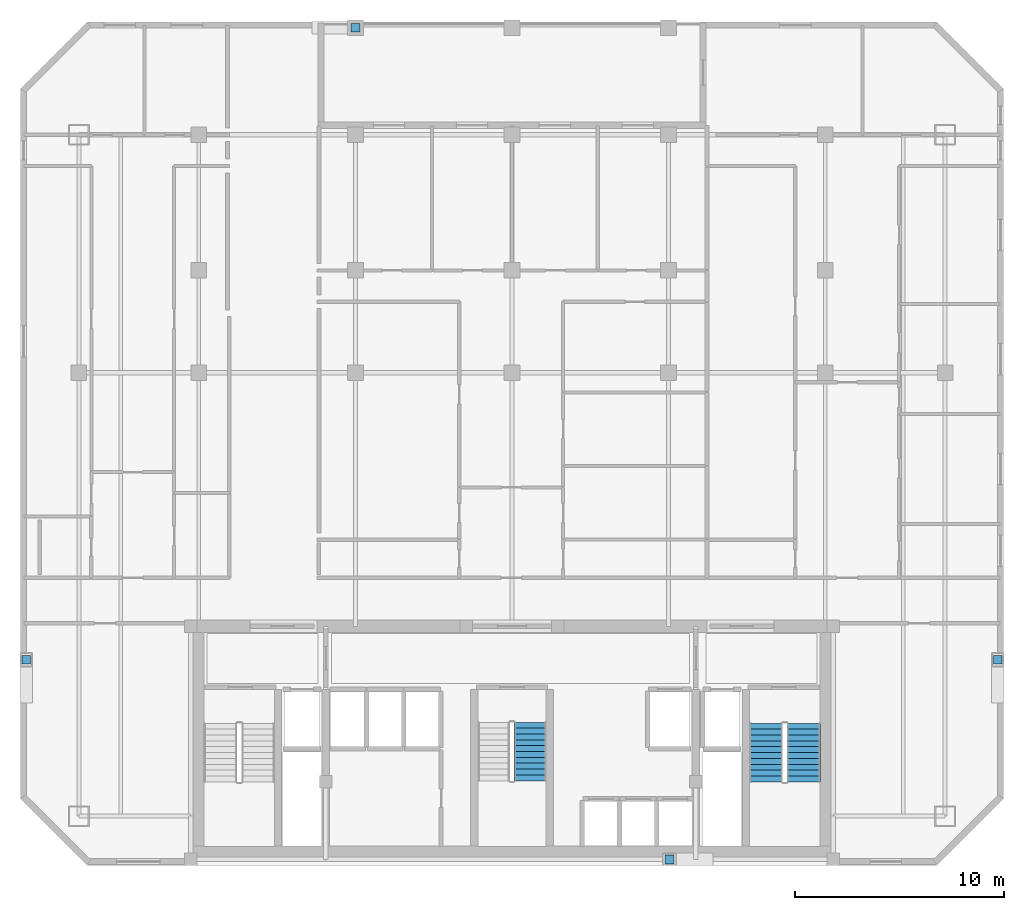
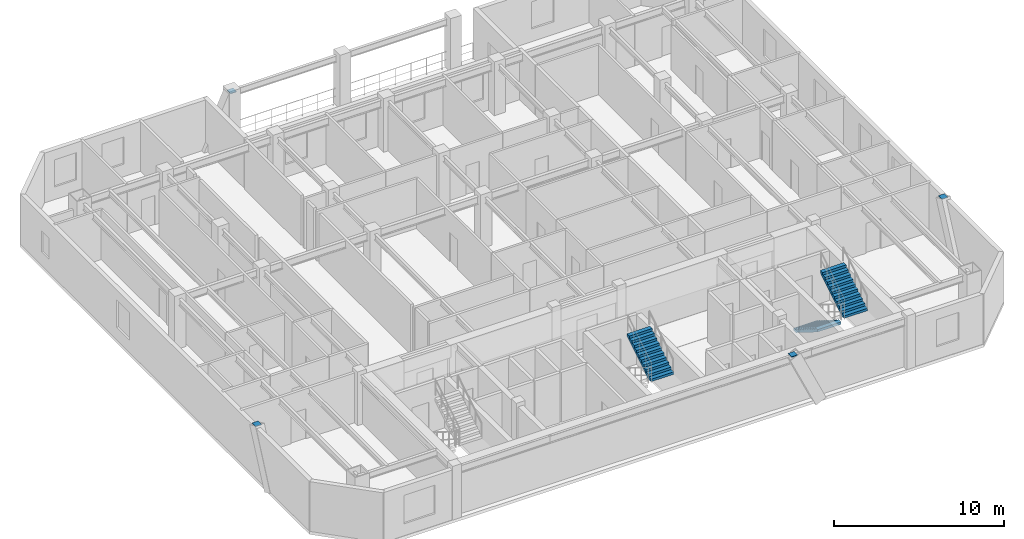
# One storey, part 7 of 8: 4 discrete accessories, 3 stair flights, 2 elements without a shape of their own.
"""IFC4 building model written with IfcOpenShell, lengths in metres."""

from ifc_helpers import new_model, si_unit, direction, frame, origin, origin_2d, place, context, subcontext, project, spatial, polyline, rectangle, outline, extrude, material, type_object, element, aggregate, save


model = new_model("IFC4")

# Units and contexts
model_context = context("Model", 3, precision=1e-05, world=origin(), true_north=direction((0.0, 1.0)))
body_context = subcontext(model_context, "Body", "Model", "MODEL_VIEW")
ifc_project = project(units=[si_unit("LENGTHUNIT", "METRE"), si_unit("AREAUNIT", "SQUARE_METRE"), si_unit("VOLUMEUNIT", "CUBIC_METRE"), si_unit("PLANEANGLEUNIT", "RADIAN"), si_unit("MASSUNIT", "GRAM", prefix="KILO")], contexts=[model_context])

# Site, building, storey
site_placement = place(None, origin())
site = spatial("IfcSite", under=ifc_project, at=site_placement, CompositionType="ELEMENT")
building_placement = place(site_placement, origin())
building = spatial("IfcBuilding", under=site, at=building_placement, Name="Ventersveld Concourse Tower", CompositionType="ELEMENT")
storey_placement = place(building_placement, frame((0.0, 0.0, 200.300048828125)))
storey = spatial("IfcBuildingStorey", under=building, at=storey_placement, Name="L49", CompositionType="ELEMENT", Elevation=200.300048828125)

# Stair, stair flight
ifc_material_1 = material(Name="Concrete C50/60", Category="concrete")
stair_type_1 = type_object("IfcStairType", Name="ST-DOG-155", PredefinedType="HALF_TURN_STAIR", material=ifc_material_1)
stair_1_placement = place(storey_placement, origin())
stair_1 = element("IfcStair", 1, at=stair_1_placement, inside=storey, type_object=stair_type_1, Name="L49 Protected Central Core Escape Stair ST-03", PredefinedType="HALF_TURN_STAIR")
stair_flight_type_1 = type_object("IfcStairFlightType", Name="STF-RC-155", PredefinedType="STRAIGHT", material=ifc_material_1)
stair_flight_1_placement = place(storey_placement, frame((29.625, 4.050048828125, 1.925048828125), z_axis=(0.0, 0.0, 1.0), x_axis=(0.0, 1.0, 0.0)))
stair_flight_1 = element("IfcStairFlight", 2, at=stair_flight_1_placement, type_object=stair_flight_type_1, Name="ST-03 flight 2", NumberOfRisers=11, NumberOfTreads=10, PredefinedType="STRAIGHT", RiserHeight=0.175, TreadLength=0.28, context=body_context, shape_type="SweptSolid", body=[
    extrude(outline(polyline([(0.0, 0.0), (0.0, 0.175048828125), (0.280029296875, 0.175048828125), (0.280029296875, 0.35009765625), (0.56005859375, 0.35009765625), (0.56005859375, 0.52490234375), (0.840087890625, 0.52490234375), (0.840087890625, 0.699951171875), (1.1201171875, 0.699951171875), (1.1201171875, 0.875), (1.39990234375, 0.875), (1.39990234375, 1.050048828125), (1.679931640625, 1.050048828125), (1.679931640625, 1.22509765625), (1.9599609375, 1.22509765625), (1.9599609375, 1.39990234375), (2.239990234375, 1.39990234375), (2.239990234375, 1.574951171875), (2.52001953125, 1.574951171875), (2.52001953125, 1.75), (2.800048828125, 1.75), (2.800048828125, 1.925048828125), (2.800048828125, 1.5732421875), (0.28271484375, 0.0), (0.0, 0.0)])), frame((0.0, 0.77490234375, 0.0), z_axis=(0.0, -1.0, 0.0), x_axis=(1.0, 0.0, 0.0)), (0.0, 0.0, 1.0), 1.550048828125),
])
aggregate(stair_1, [stair_flight_1])

# Stair, stair flights
stair_type_2 = type_object("IfcStairType", Name="ST-DOG-160", PredefinedType="HALF_TURN_STAIR", material=ifc_material_1)
stair_2_placement = place(storey_placement, origin())
stair_2 = element("IfcStair", 3, at=stair_2_placement, inside=storey, type_object=stair_type_2, Name="L49 Protected Tower Escape Stair ST-02", PredefinedType="HALF_TURN_STAIR")
stair_flight_type_2 = type_object("IfcStairFlightType", Name="STF-RC-160", PredefinedType="STRAIGHT", material=ifc_material_1)
stair_flight_2_placement = place(storey_placement, frame((40.919921875, 6.800048828125, 0.0), z_axis=(0.0, 0.0, 1.0), x_axis=(0.0, -1.0, 0.0)))
stair_flight_2 = element("IfcStairFlight", 4, at=stair_flight_2_placement, type_object=stair_flight_type_2, Name="ST-02 flight 1", NumberOfRisers=11, NumberOfTreads=10, PredefinedType="STRAIGHT", RiserHeight=0.175, TreadLength=0.28, context=body_context, shape_type="SweptSolid", body=[
    extrude(outline(polyline([(0.0, 0.0), (0.0, 0.175048828125), (0.280029296875, 0.175048828125), (0.280029296875, 0.35009765625), (0.56005859375, 0.35009765625), (0.56005859375, 0.52490234375), (0.840087890625, 0.52490234375), (0.840087890625, 0.699951171875), (1.1201171875, 0.699951171875), (1.1201171875, 0.875), (1.39990234375, 0.875), (1.39990234375, 1.050048828125), (1.679931640625, 1.050048828125), (1.679931640625, 1.22509765625), (1.9599609375, 1.22509765625), (1.9599609375, 1.39990234375), (2.239990234375, 1.39990234375), (2.239990234375, 1.574951171875), (2.52001953125, 1.574951171875), (2.52001953125, 1.75), (2.800048828125, 1.75), (2.800048828125, 1.925048828125), (2.800048828125, 1.5732421875), (0.28271484375, 0.0), (0.0, 0.0)])), frame((0.0, 0.800048828125, 0.0), z_axis=(0.0, -1.0, 0.0), x_axis=(1.0, 0.0, 0.0)), (0.0, 0.0, 1.0), 1.60009765625),
])
stair_flight_3_placement = place(storey_placement, frame((42.719970703125, 4.0, 1.925048828125), z_axis=(0.0, 0.0, 1.0), x_axis=(0.0, 1.0, 0.0)))
stair_flight_3 = element("IfcStairFlight", 5, at=stair_flight_3_placement, type_object=stair_flight_type_2, Name="ST-02 flight 2", NumberOfRisers=11, NumberOfTreads=10, PredefinedType="STRAIGHT", RiserHeight=0.175, TreadLength=0.28, context=body_context, shape_type="SweptSolid", body=[
    extrude(outline(polyline([(0.0, 0.0), (0.0, 0.175048828125), (0.280029296875, 0.175048828125), (0.280029296875, 0.35009765625), (0.56005859375, 0.35009765625), (0.56005859375, 0.52490234375), (0.840087890625, 0.52490234375), (0.840087890625, 0.699951171875), (1.1201171875, 0.699951171875), (1.1201171875, 0.875), (1.39990234375, 0.875), (1.39990234375, 1.050048828125), (1.679931640625, 1.050048828125), (1.679931640625, 1.22509765625), (1.9599609375, 1.22509765625), (1.9599609375, 1.39990234375), (2.239990234375, 1.39990234375), (2.239990234375, 1.574951171875), (2.52001953125, 1.574951171875), (2.52001953125, 1.75), (2.800048828125, 1.75), (2.800048828125, 1.925048828125), (2.800048828125, 1.5732421875), (0.28271484375, 0.0), (0.0, 0.0)])), frame((0.0, 0.800048828125, 0.0), z_axis=(0.0, -1.0, 0.0), x_axis=(1.0, 0.0, 0.0)), (0.0, 0.0, 1.0), 1.60009765625),
])
aggregate(stair_2, [stair_flight_2, stair_flight_3])

# Discrete accessories
ifc_material_2 = material(Name="Structural steel S355J2", Category="steel")
discrete_accessory_type = type_object("IfcDiscreteAccessoryType", Name="CONN-BRACE-ECP1", PredefinedType="BRACKET", material=ifc_material_2)
for number, where, z_axis, x_axis, name in (
    (6, (21.25, 40.1201171875, 3.550048828125), (0.0, 0.0, 1.0), (1.0, 0.0, 0.0), "L49 Steel Brace End Connection Plate ECP1-0371"),
    (7, (36.300048828125, 0.280029296875, 3.550048828125), (0.0, 0.0, 1.0), (1.0, 0.0, 0.0), "L49 Steel Brace End Connection Plate ECP1-0375"),
    (8, (5.47998046875, 9.85009765625, 3.550048828125), (0.0, 0.0, 1.0), (1.0, 0.0, 0.0), "L49 Steel Brace End Connection Plate ECP1-0379"),
    (9, (52.02001953125, 9.85009765625, 3.550048828125), (0.0, 0.0, 1.0), (1.0, 0.0, 0.0), "L49 Steel Brace End Connection Plate ECP1-0383"),
):
    element("IfcDiscreteAccessory", number, at=place(storey_placement, frame(where, z_axis=z_axis, x_axis=x_axis)), inside=storey, type_object=discrete_accessory_type, Name=name, PredefinedType="BRACKET", context=body_context, shape_type="SweptSolid", body=[
        extrude(rectangle(XDim=0.419921875, YDim=0.419921875, at=origin_2d()), origin(), (0.0, 0.0, 1.0), 0.0400390625),
    ])

save(model, "model.ifc")
